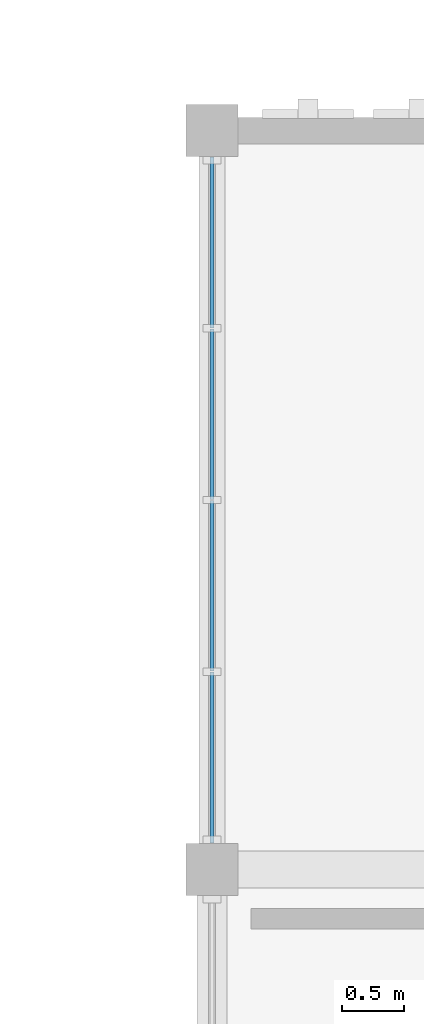
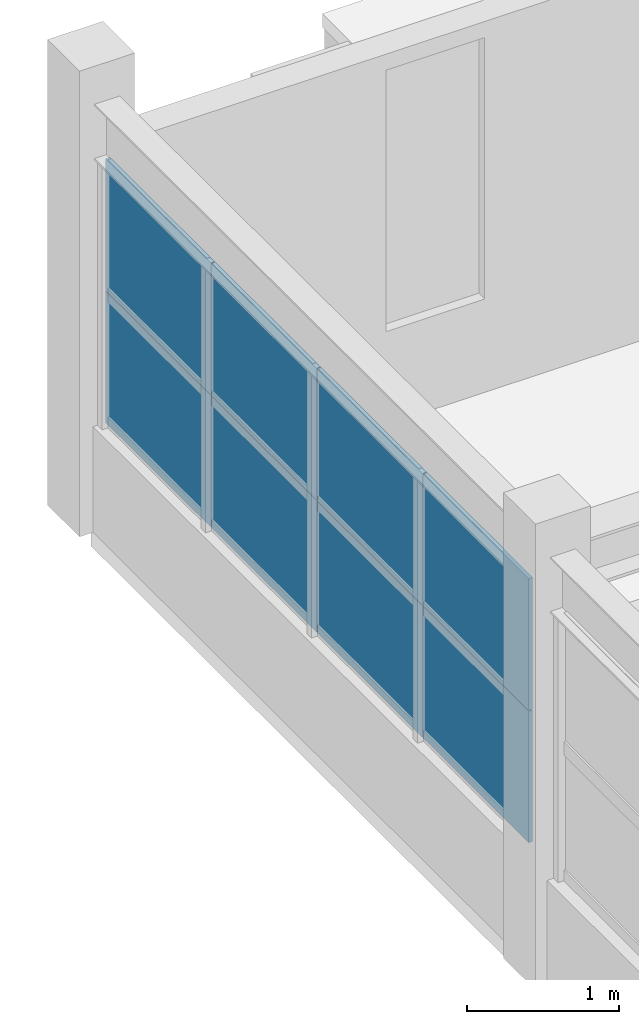
# One storey, part 21 of 46: 8 plates, 1 element without a shape of its own.
"""IFC4 building model written with IfcOpenShell, lengths in metres."""

from ifc_helpers import new_model, si_unit, direction, frame, origin, origin_2d, place, context, subcontext, project, spatial, rectangle, extrude, material, layer, layer_set, type_object, element, aggregate, save


model = new_model("IFC4")

# Units and contexts
model_context = context("Model", 3, precision=1e-05, world=origin(), true_north=direction((0.0, 1.0)))
body_context = subcontext(model_context, "Body", "Model", "MODEL_VIEW")
ifc_project = project(units=[si_unit("LENGTHUNIT", "METRE"), si_unit("AREAUNIT", "SQUARE_METRE"), si_unit("VOLUMEUNIT", "CUBIC_METRE"), si_unit("PLANEANGLEUNIT", "RADIAN"), si_unit("MASSUNIT", "GRAM", prefix="KILO")], contexts=[model_context])

# Site, building, storey
site_placement = place(None, origin())
site = spatial("IfcSite", under=ifc_project, at=site_placement, CompositionType="ELEMENT")
building_placement = place(site_placement, origin())
building = spatial("IfcBuilding", under=site, at=building_placement, Name="Nzembalo Square Collegiate School", CompositionType="ELEMENT")
storey_placement = place(building_placement, frame((0.0, 0.0, 17.340087890625)))
storey = spatial("IfcBuildingStorey", under=building, at=storey_placement, Name="L04", CompositionType="ELEMENT", Elevation=17.340087890625)

# Curtain wall, plates
ifc_material_1 = material(Name="Aluminium 6060-T66", Category="aluminium")
curtain_wall_type = type_object("IfcCurtainWallType", Name="CW-04", PredefinedType="USERDEFINED", material=ifc_material_1)
curtain_wall_placement = place(storey_placement, origin())
curtain_wall = element("IfcCurtainWall", 1, at=curtain_wall_placement, inside=storey, type_object=curtain_wall_type, Name="Curtain wall CW-04 cw:L04:147", ObjectType="UNITISED", PredefinedType="USERDEFINED")
ifc_material_2 = material(Name="Acoustic laminated solar-control glazing", Category="glass")
ifc_layer = layer(ifc_material_2, 0.031982421875, Name="Acoustic laminated solar-control glazing")
ifc_layer_set = layer_set([ifc_layer], Name="Acoustic laminated solar-control glazing")
plate_type = type_object("IfcPlateType", Name="PN02", PredefinedType="CURTAIN_PANEL", material=ifc_layer_set)
plate_1_placement = place(storey_placement, frame((130.800048828125, 45.30908203125, 0.85400390625), z_axis=(0.0, 0.0, 1.0), x_axis=(0.0, 1.0, 0.0)))
plate_1 = element("IfcPlate", 2, at=plate_1_placement, type_object=plate_type, Name="PN02 glazed panel 1-1", PredefinedType="CURTAIN_PANEL", context=body_context, shape_type="SweptSolid", body=[
    extrude(rectangle(XDim=1.385986328125, YDim=0.031982421875, at=origin_2d()), origin(), (0.0, 0.0, 1.0), 1.056396484375),
])
plate_2_placement = place(storey_placement, frame((130.800048828125, 46.702880859375, 0.85400390625), z_axis=(0.0, 0.0, 1.0), x_axis=(0.0, 1.0, 0.0)))
plate_2 = element("IfcPlate", 3, at=plate_2_placement, type_object=plate_type, Name="PN02 glazed panel 1-2", PredefinedType="CURTAIN_PANEL", context=body_context, shape_type="SweptSolid", body=[
    extrude(rectangle(XDim=1.385986328125, YDim=0.031982421875, at=origin_2d()), origin(), (0.0, 0.0, 1.0), 1.056396484375),
])
plate_3_placement = place(storey_placement, frame((130.800048828125, 48.096923828125, 0.85400390625), z_axis=(0.0, 0.0, 1.0), x_axis=(0.0, 1.0, 0.0)))
plate_3 = element("IfcPlate", 4, at=plate_3_placement, type_object=plate_type, Name="PN02 glazed panel 1-3", PredefinedType="CURTAIN_PANEL", context=body_context, shape_type="SweptSolid", body=[
    extrude(rectangle(XDim=1.385986328125, YDim=0.031982421875, at=origin_2d()), origin(), (0.0, 0.0, 1.0), 1.056396484375),
])
plate_4_placement = place(storey_placement, frame((130.800048828125, 49.490966796875, 0.85400390625), z_axis=(0.0, 0.0, 1.0), x_axis=(0.0, 1.0, 0.0)))
plate_4 = element("IfcPlate", 5, at=plate_4_placement, type_object=plate_type, Name="PN02 glazed panel 1-4", PredefinedType="CURTAIN_PANEL", context=body_context, shape_type="SweptSolid", body=[
    extrude(rectangle(XDim=1.385986328125, YDim=0.031982421875, at=origin_2d()), origin(), (0.0, 0.0, 1.0), 1.056396484375),
])
plate_5_placement = place(storey_placement, frame((130.800048828125, 45.30908203125, 1.91845703125), z_axis=(0.0, 0.0, 1.0), x_axis=(0.0, 1.0, 0.0)))
plate_5 = element("IfcPlate", 6, at=plate_5_placement, type_object=plate_type, Name="PN02 glazed panel 2-1", PredefinedType="CURTAIN_PANEL", context=body_context, shape_type="SweptSolid", body=[
    extrude(rectangle(XDim=1.385986328125, YDim=0.031982421875, at=origin_2d()), origin(), (0.0, 0.0, 1.0), 1.056396484375),
])
plate_6_placement = place(storey_placement, frame((130.800048828125, 46.702880859375, 1.91845703125), z_axis=(0.0, 0.0, 1.0), x_axis=(0.0, 1.0, 0.0)))
plate_6 = element("IfcPlate", 7, at=plate_6_placement, type_object=plate_type, Name="PN02 glazed panel 2-2", PredefinedType="CURTAIN_PANEL", context=body_context, shape_type="SweptSolid", body=[
    extrude(rectangle(XDim=1.385986328125, YDim=0.031982421875, at=origin_2d()), origin(), (0.0, 0.0, 1.0), 1.056396484375),
])
plate_7_placement = place(storey_placement, frame((130.800048828125, 48.096923828125, 1.91845703125), z_axis=(0.0, 0.0, 1.0), x_axis=(0.0, 1.0, 0.0)))
plate_7 = element("IfcPlate", 8, at=plate_7_placement, type_object=plate_type, Name="PN02 glazed panel 2-3", PredefinedType="CURTAIN_PANEL", context=body_context, shape_type="SweptSolid", body=[
    extrude(rectangle(XDim=1.385986328125, YDim=0.031982421875, at=origin_2d()), origin(), (0.0, 0.0, 1.0), 1.056396484375),
])
plate_8_placement = place(storey_placement, frame((130.800048828125, 49.490966796875, 1.91845703125), z_axis=(0.0, 0.0, 1.0), x_axis=(0.0, 1.0, 0.0)))
plate_8 = element("IfcPlate", 9, at=plate_8_placement, type_object=plate_type, Name="PN02 glazed panel 2-4", PredefinedType="CURTAIN_PANEL", context=body_context, shape_type="SweptSolid", body=[
    extrude(rectangle(XDim=1.385986328125, YDim=0.031982421875, at=origin_2d()), origin(), (0.0, 0.0, 1.0), 1.056396484375),
])
aggregate(curtain_wall, [plate_1, plate_2, plate_3, plate_4, plate_5, plate_6, plate_7, plate_8])

save(model, "model.ifc")
